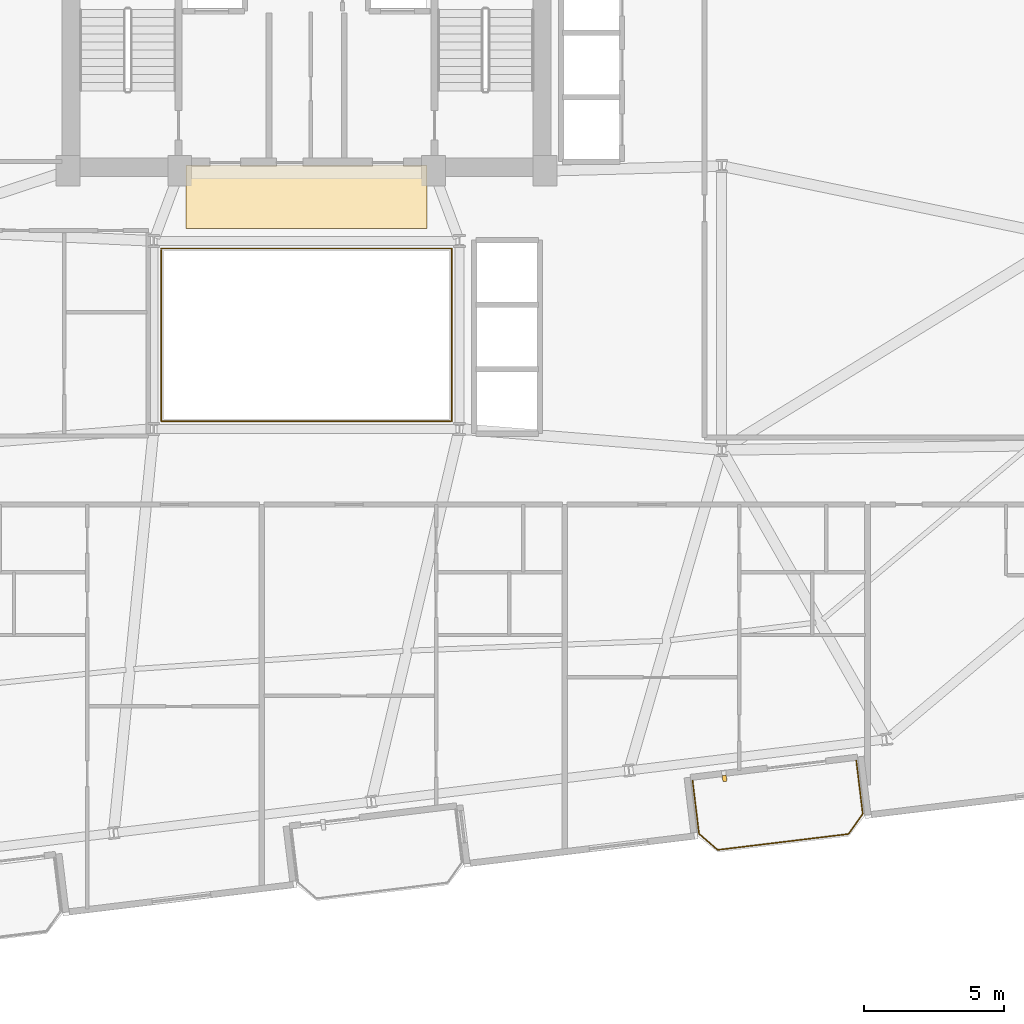
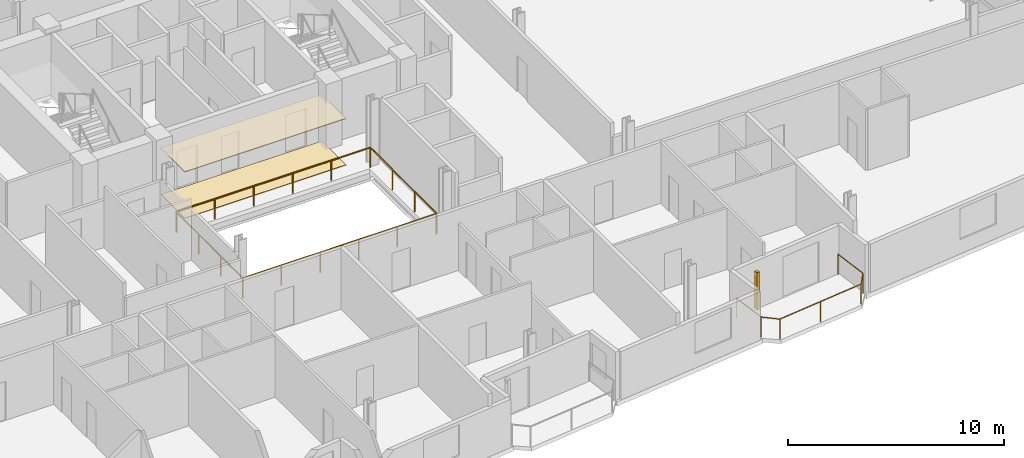
# One storey, part 21 of 23: 3 railings, 2 coverings, 1 shading device.
"""IFC4 building model written with IfcOpenShell, lengths in metres."""

from ifc_helpers import new_model, si_unit, direction, frame, origin, origin_2d, place, context, subcontext, project, spatial, rectangle, circle, extrude, source, transform, mapped, material, layer, layer_set, type_object, element, save


model = new_model("IFC4")

# Units and contexts
model_context = context("Model", 3, precision=1e-05, world=origin(), true_north=direction((0.0, 1.0)))
body_context = subcontext(model_context, "Body", "Model", "MODEL_VIEW")
ifc_project = project(units=[si_unit("LENGTHUNIT", "METRE"), si_unit("AREAUNIT", "SQUARE_METRE"), si_unit("VOLUMEUNIT", "CUBIC_METRE"), si_unit("PLANEANGLEUNIT", "RADIAN"), si_unit("MASSUNIT", "GRAM", prefix="KILO")], contexts=[model_context])

# Site, building, storey
site_placement = place(None, origin())
site = spatial("IfcSite", under=ifc_project, at=site_placement, CompositionType="ELEMENT")
building_placement = place(site_placement, origin())
building = spatial("IfcBuilding", under=site, at=building_placement, Name="Varnelok Gate Tower", CompositionType="ELEMENT")
storey_placement = place(building_placement, frame((0.0, 0.0, 170.89990234375)))
storey = spatial("IfcBuildingStorey", under=building, at=storey_placement, Name="L43", CompositionType="ELEMENT", Elevation=170.89990234375)

# Railings
ifc_material_1 = material(Name="Tempered Laminated Balustrade Glass", Category="glass")
railing_type_1 = type_object("IfcRailingType", Name="RL-ATR-GUARD1150", PredefinedType="GUARDRAIL", material=ifc_material_1)
railing_1_placement = place(storey_placement, frame((34.02001953125, 25.929931640625, 0.0)))
element("IfcRailing", 1, at=railing_1_placement, inside=storey, type_object=railing_type_1, Name="L43 Internal Atrium South-West Guardrail", PredefinedType="GUARDRAIL", context=body_context, shape_type="SweptSolid", body=[
    extrude(circle(Radius=0.02392578125, at=origin_2d()), frame((0.0, 0.0, 1.1259765625), z_axis=(0.0, -1.0, 0.0), x_axis=(1.0, 0.0, 0.0)), (0.0, 0.0, 1.0), 6.10986328125),
    extrude(circle(Radius=0.02392578125, at=origin_2d()), frame((0.0, -6.10986328125, 1.1259765625), z_axis=(1.0, 0.0, 0.0), x_axis=(0.0, 1.0, 0.0)), (0.0, 0.0, 1.0), 10.31005859375),
    extrude(circle(Radius=0.02099609375, at=origin_2d()), origin(), (0.0, 0.0, 1.0), 1.101806640625),
    extrude(circle(Radius=0.02099609375, at=origin_2d()), frame((0.0, -2.03662109375, 0.0)), (0.0, 0.0, 1.0), 1.101806640625),
    extrude(circle(Radius=0.02099609375, at=origin_2d()), frame((0.0, -4.0732421875, 0.0)), (0.0, 0.0, 1.0), 1.101806640625),
    extrude(circle(Radius=0.02099609375, at=origin_2d()), frame((0.0, -6.10986328125, 0.0)), (0.0, 0.0, 1.0), 1.101806640625),
    extrude(circle(Radius=0.02099609375, at=origin_2d()), frame((2.06201171875, -6.10986328125, 0.0)), (0.0, 0.0, 1.0), 1.101806640625),
    extrude(circle(Radius=0.02099609375, at=origin_2d()), frame((4.1240234375, -6.10986328125, 0.0)), (0.0, 0.0, 1.0), 1.101806640625),
    extrude(circle(Radius=0.02099609375, at=origin_2d()), frame((6.18603515625, -6.10986328125, 0.0)), (0.0, 0.0, 1.0), 1.101806640625),
    extrude(circle(Radius=0.02099609375, at=origin_2d()), frame((8.248046875, -6.10986328125, 0.0)), (0.0, 0.0, 1.0), 1.101806640625),
    extrude(circle(Radius=0.02099609375, at=origin_2d()), frame((10.31005859375, -6.10986328125, 0.0)), (0.0, 0.0, 1.0), 1.101806640625),
])
railing_2_placement = place(storey_placement, frame((44.3798828125, 19.820068359375, 0.0)))
element("IfcRailing", 2, at=railing_2_placement, inside=storey, type_object=railing_type_1, Name="L43 Internal Atrium North-East Guardrail", PredefinedType="GUARDRAIL", context=body_context, shape_type="SweptSolid", body=[
    extrude(circle(Radius=0.02392578125, at=origin_2d()), frame((0.0, 0.0, 1.1259765625), z_axis=(0.0, 1.0, 0.0), x_axis=(-1.0, 0.0, 0.0)), (0.0, 0.0, 1.0), 6.159912109375),
    extrude(circle(Radius=0.02392578125, at=origin_2d()), frame((0.0, 6.159912109375, 1.1259765625), z_axis=(-1.0, 0.0, 0.0), x_axis=(0.0, -1.0, 0.0)), (0.0, 0.0, 1.0), 10.35986328125),
    extrude(circle(Radius=0.02099609375, at=origin_2d()), origin(), (0.0, 0.0, 1.0), 1.101806640625),
    extrude(circle(Radius=0.02099609375, at=origin_2d()), frame((0.0, 2.05322265625, 0.0)), (0.0, 0.0, 1.0), 1.101806640625),
    extrude(circle(Radius=0.02099609375, at=origin_2d()), frame((0.0, 4.106689453125, 0.0)), (0.0, 0.0, 1.0), 1.101806640625),
    extrude(circle(Radius=0.02099609375, at=origin_2d()), frame((0.0, 6.159912109375, 0.0)), (0.0, 0.0, 1.0), 1.101806640625),
    extrude(circle(Radius=0.02099609375, at=origin_2d()), frame((-2.072021484375, 6.159912109375, 0.0)), (0.0, 0.0, 1.0), 1.101806640625),
    extrude(circle(Radius=0.02099609375, at=origin_2d()), frame((-4.14404296875, 6.159912109375, 0.0)), (0.0, 0.0, 1.0), 1.101806640625),
    extrude(circle(Radius=0.02099609375, at=origin_2d()), frame((-6.2158203125, 6.159912109375, 0.0)), (0.0, 0.0, 1.0), 1.101806640625),
    extrude(circle(Radius=0.02099609375, at=origin_2d()), frame((-8.287841796875, 6.159912109375, 0.0)), (0.0, 0.0, 1.0), 1.101806640625),
    extrude(circle(Radius=0.02099609375, at=origin_2d()), frame((-10.35986328125, 6.159912109375, 0.0)), (0.0, 0.0, 1.0), 1.101806640625),
])
ifc_material_2 = material(Name="Low-E Laminated Double Glazing IGU", Category="glass")
railing_type_2 = type_object("IfcRailingType", Name="RL-BALC-1150", PredefinedType="BALUSTRADE", material=ifc_material_2)
railing_3_placement = place(storey_placement, frame((52.95947265625, 7.023193359375, 0.0)))
element("IfcRailing", 3, at=railing_3_placement, inside=storey, type_object=railing_type_2, Name="L43 South Terrace Balustrade 3", PredefinedType="BALUSTRADE", context=body_context, shape_type="SweptSolid", body=[
    extrude(circle(Radius=0.02392578125, at=origin_2d()), frame((0.0, 0.0, 1.1259765625), z_axis=(0.12040351024, -0.992725034802, 0.0), x_axis=(0.992725034802, 0.12040351024, 0.0)), (0.0, 0.0, 1.0), 1.920166015625),
    extrude(circle(Radius=0.02392578125, at=origin_2d()), frame((0.231201171875, -1.90625, 1.1259765625), z_axis=(0.756303655992, -0.654220742513, 0.0), x_axis=(0.654220742513, 0.756303655992, 0.0)), (0.0, 0.0, 1.0), 0.877685546875),
    extrude(circle(Radius=0.02392578125, at=origin_2d()), frame((0.89501953125, -2.48046875, 1.1259765625), z_axis=(0.99273133746, 0.120351533534, 0.0), x_axis=(-0.120351533534, 0.99273133746, 0.0)), (0.0, 0.0, 1.0), 4.7001953125),
    extrude(circle(Radius=0.02392578125, at=origin_2d()), frame((5.56103515625, -1.914794921875, 1.1259765625), z_axis=(0.577971037086, 0.816057277579, 0.0), x_axis=(-0.816057277579, 0.577971037086, 0.0)), (0.0, 0.0, 1.0), 0.877685546875),
    extrude(circle(Radius=0.02392578125, at=origin_2d()), frame((6.068359375, -1.198486328125, 1.1259765625), z_axis=(-0.120293392036, 0.992738384386, 0.0), x_axis=(-0.992738384386, -0.120293392036, 0.0)), (0.0, 0.0, 1.0), 1.919921875),
    extrude(circle(Radius=0.02099609375, at=origin_2d()), origin(), (0.0, 0.0, 1.0), 1.101806640625),
    extrude(circle(Radius=0.02099609375, at=origin_2d()), frame((0.231201171875, -1.90625, 0.0)), (0.0, 0.0, 1.0), 1.101806640625),
    extrude(circle(Radius=0.02099609375, at=origin_2d()), frame((0.89501953125, -2.48046875, 0.0)), (0.0, 0.0, 1.0), 1.101806640625),
    extrude(circle(Radius=0.02099609375, at=origin_2d()), frame((3.22802734375, -2.19775390625, 0.0)), (0.0, 0.0, 1.0), 1.101806640625),
    extrude(circle(Radius=0.02099609375, at=origin_2d()), frame((5.56103515625, -1.914794921875, 0.0)), (0.0, 0.0, 1.0), 1.101806640625),
    extrude(circle(Radius=0.02099609375, at=origin_2d()), frame((6.068359375, -1.198486328125, 0.0)), (0.0, 0.0, 1.0), 1.101806640625),
    extrude(circle(Radius=0.02099609375, at=origin_2d()), frame((5.83740234375, 0.70751953125, 0.0)), (0.0, 0.0, 1.0), 1.101806640625),
])

# Shading device
ifc_material_3 = material(Name="Glazed Architectural Terracotta Ceramic", Category="masonry")
shading_device_type = type_object("IfcShadingDeviceType", Name="SHD-TERRA-FIN", PredefinedType="USERDEFINED", material=ifc_material_3)
shared_shape_1 = source(origin(), body_context, "Body", "SweptSolid", [
    extrude(rectangle(XDim=0.139892578125, YDim=0.219970703125, at=origin_2d()), origin(), (0.0, 0.0, 1.0), 2.10009765625),
])
shading_device_placement = place(storey_placement, frame((54.099609375, 7.0908203125, 0.10009765625), z_axis=(0.0, 0.0, 1.0), x_axis=(0.992732158755, 0.12034475881, 0.0)))
element("IfcShadingDevice", 4, at=shading_device_placement, inside=storey, type_object=shading_device_type, Name="L43 Terracotta Ceramic Baguette Sunscreen 3.1", ObjectType="BAGUETTE", PredefinedType="USERDEFINED", context=body_context, shape_type="MappedRepresentation", body=[
    mapped(shared_shape_1, transform((0.0, 0.0, 0.0), scale=1.0)),
])

# Coverings
ifc_material_4 = material(Name="Honed Travertine Stone Flooring", Category="masonry")
ifc_layer_1 = layer(ifc_material_4, 0.02490234375)
ifc_layer_set_1 = layer_set([ifc_layer_1], Name="Honed Travertine Stone Flooring")
covering_type_1 = type_object("IfcCoveringType", Name="COV-FLOR-STONE", PredefinedType="FLOORING", material=ifc_layer_set_1)
shared_shape_2 = source(origin(), body_context, "Body", "SweptSolid", [
    extrude(rectangle(XDim=8.60009765625, YDim=2.219970703125, at=origin_2d()), origin(), (0.0, 0.0, 1.0), 0.02490234375),
])
covering_1_placement = place(storey_placement, frame((39.199951171875, 27.800048828125, 0.000244140625), z_axis=(0.0, 0.0, 1.0), x_axis=(1.0, 0.0, 0.0)))
element("IfcCovering", 5, at=covering_1_placement, inside=storey, type_object=covering_type_1, Name="L43 Core Gallery Stone Flooring", PredefinedType="FLOORING", context=body_context, shape_type="MappedRepresentation", body=[
    mapped(shared_shape_2, transform((0.0, 0.0, 0.0), scale=1.0)),
])
ifc_material_5 = material(Name="Mineral Fiber Acoustic Ceiling Tile")
ifc_layer_2 = layer(ifc_material_5, 0.0400390625)
ifc_layer_set_2 = layer_set([ifc_layer_2], Name="Mineral Fiber Acoustic Ceiling Tile")
covering_type_2 = type_object("IfcCoveringType", Name="COV-CEIL-ACOUST", PredefinedType="CEILING", material=ifc_layer_set_2)
shared_shape_3 = source(origin(), body_context, "Body", "SweptSolid", [
    extrude(rectangle(XDim=8.60009765625, YDim=2.239990234375, at=origin_2d()), origin(), (0.0, 0.0, 1.0), 0.0400390625),
])
covering_2_placement = place(storey_placement, frame((39.199951171875, 27.820068359375, 2.60009765625), z_axis=(0.0, 0.0, 1.0), x_axis=(1.0, 0.0, 0.0)))
element("IfcCovering", 6, at=covering_2_placement, inside=storey, type_object=covering_type_2, Name="L43 Core Gallery Acoustic Ceiling", PredefinedType="CEILING", context=body_context, shape_type="MappedRepresentation", body=[
    mapped(shared_shape_3, transform((0.0, 0.0, 0.0), scale=1.0)),
])

save(model, "model.ifc")
